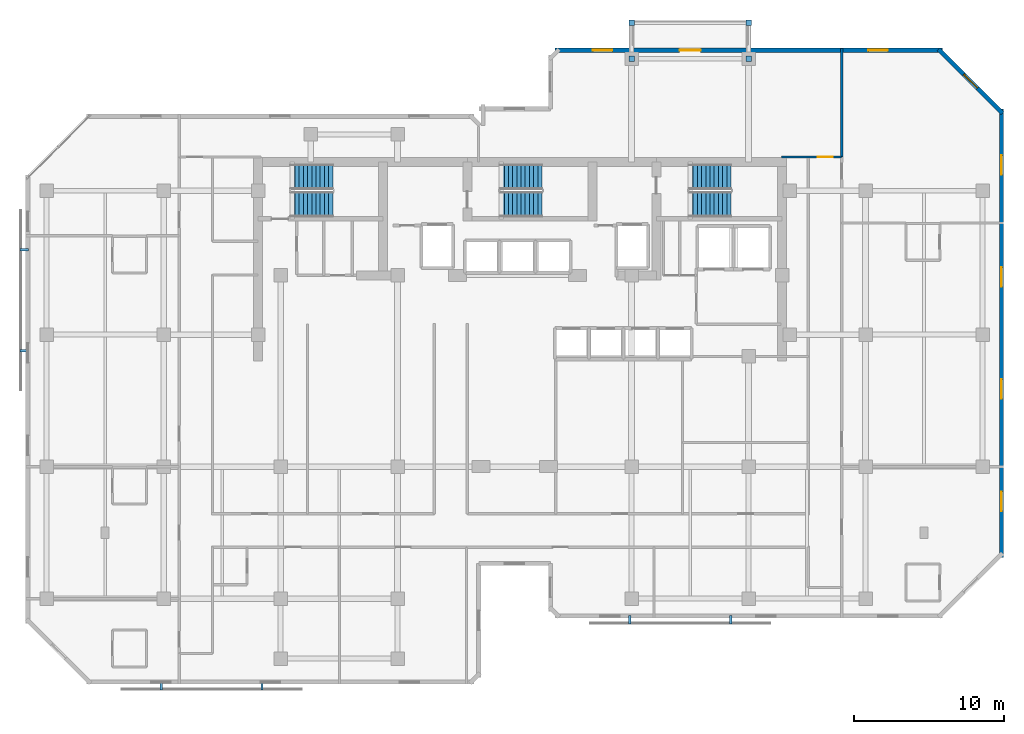
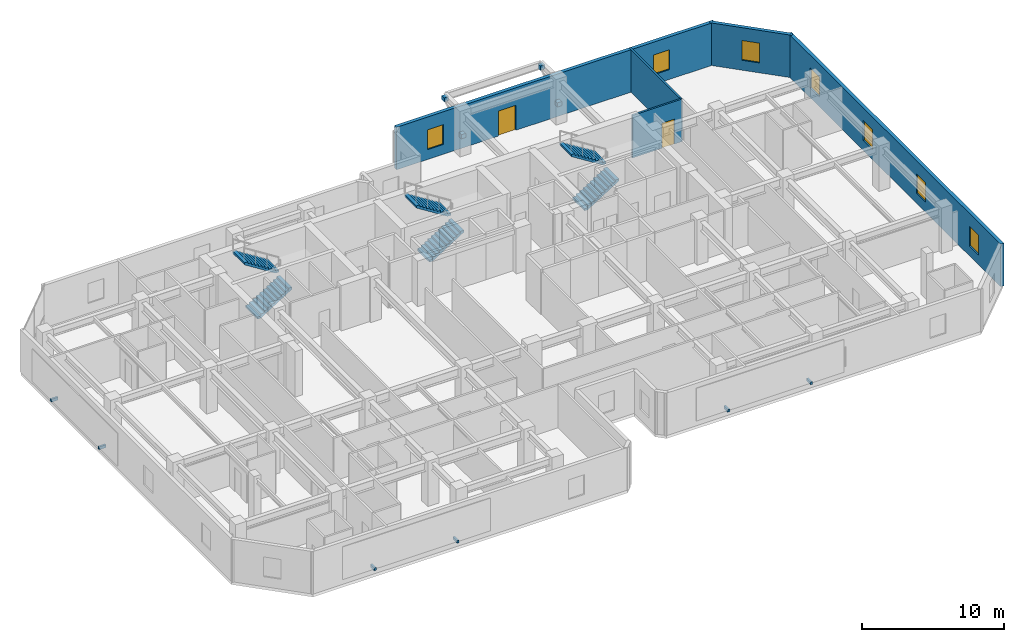
# One storey, part 8 of 10: 10 discrete accessories, 7 windows, 6 stair flights, 5 walls, 2 doors, 9 openings, 3 elements without a shape of their own.
"""IFC4 building model written with IfcOpenShell, lengths in metres."""

from ifc_helpers import new_model, si_unit, direction, frame, frame_2d, origin, origin_2d, place, context, subcontext, project, spatial, polyline, rectangle, outline, extrude, material, layer, layer_set, type_object, element, fill, aggregate, save


model = new_model("IFC4")

# Units and contexts
model_context = context("Model", 3, precision=1e-05, world=origin(), true_north=direction((0.0, 1.0)))
body_context = subcontext(model_context, "Body", "Model", "MODEL_VIEW")
ifc_project = project(units=[si_unit("LENGTHUNIT", "METRE"), si_unit("AREAUNIT", "SQUARE_METRE"), si_unit("VOLUMEUNIT", "CUBIC_METRE"), si_unit("PLANEANGLEUNIT", "RADIAN"), si_unit("MASSUNIT", "GRAM", prefix="KILO")], contexts=[model_context])

# Site, building, storey
site_placement = place(None, origin())
site = spatial("IfcSite", under=ifc_project, at=site_placement, CompositionType="ELEMENT")
building_placement = place(site_placement, origin())
building = spatial("IfcBuilding", under=site, at=building_placement, Name="Kestravale Grand Hotel", CompositionType="ELEMENT")
storey_placement = place(building_placement, frame((0.0, 0.0, 220.199951171875)))
storey = spatial("IfcBuildingStorey", under=building, at=storey_placement, Name="L55", CompositionType="ELEMENT", Elevation=220.199951171875)

# Wall, openings, windows
ifc_material_1 = material(Name="Precast concrete f'c 45 MPa", Category="concrete")
ifc_layer_1 = layer(ifc_material_1, 0.280029296875)
ifc_layer_set_1 = layer_set([ifc_layer_1], Name="EW-PREC-280")
wall_type_1 = type_object("IfcWallType", Name="EW-PREC-280", PredefinedType="SOLIDWALL", material=ifc_layer_set_1)
wall_1_placement = place(storey_placement, frame((71.4599609375, 13.9599609375, 0.0), z_axis=(0.0, 0.0, 1.0), x_axis=(0.0, 1.0, 0.0)))
wall_1 = element("IfcWall", 1, at=wall_1_placement, inside=storey, type_object=wall_type_1, Name="L55 fluted precast facade wall 9", PredefinedType="SOLIDWALL", context=body_context, shape_type="SweptSolid", body=[
    extrude(rectangle(XDim=29.880126953125, YDim=0.280029296875, at=frame_2d((14.93994140625, 0.0))), origin(), (0.0, 0.0, 1.0), 3.650146484375),
])
opening_1_placement = place(wall_1_placement, frame((3.0849609375, 0.0, 0.85009765625)))
opening_1 = element("IfcOpeningElement", 2, at=opening_1_placement, cuts=wall_1, Name="Opening W-GUEST-1300", PredefinedType="OPENING", context=body_context, shape_type="SweptSolid", body=[
    extrude(rectangle(XDim=1.300048828125, YDim=1.699951171875, at=frame_2d((0.64990234375, 0.85009765625))), frame((0.0, 0.14990234375, 0.0), z_axis=(0.0, -1.0, 0.0), x_axis=(1.0, 0.0, 0.0)), (0.0, 0.0, 1.0), 0.300048828125),
])
opening_2_placement = place(wall_1_placement, frame((10.554931640625, 0.0, 0.85009765625)))
opening_2 = element("IfcOpeningElement", 3, at=opening_2_placement, cuts=wall_1, Name="Opening W-GUEST-1300", PredefinedType="OPENING", context=body_context, shape_type="SweptSolid", body=[
    extrude(rectangle(XDim=1.300048828125, YDim=1.699951171875, at=frame_2d((0.64990234375, 0.85009765625))), frame((0.0, 0.14990234375, 0.0), z_axis=(0.0, -1.0, 0.0), x_axis=(1.0, 0.0, 0.0)), (0.0, 0.0, 1.0), 0.300048828125),
])
opening_3_placement = place(wall_1_placement, frame((18.02490234375, 0.0, 0.85009765625)))
opening_3 = element("IfcOpeningElement", 4, at=opening_3_placement, cuts=wall_1, Name="Opening W-GUEST-1300", PredefinedType="OPENING", context=body_context, shape_type="SweptSolid", body=[
    extrude(rectangle(XDim=1.300048828125, YDim=1.699951171875, at=frame_2d((0.64990234375, 0.85009765625))), frame((0.0, 0.14990234375, 0.0), z_axis=(0.0, -1.0, 0.0), x_axis=(1.0, 0.0, 0.0)), (0.0, 0.0, 1.0), 0.300048828125),
])
opening_4_placement = place(wall_1_placement, frame((25.4951171875, 0.0, 0.85009765625)))
opening_4 = element("IfcOpeningElement", 5, at=opening_4_placement, cuts=wall_1, Name="Opening W-GUEST-1300", PredefinedType="OPENING", context=body_context, shape_type="SweptSolid", body=[
    extrude(rectangle(XDim=1.300048828125, YDim=1.699951171875, at=frame_2d((0.64990234375, 0.85009765625))), frame((0.0, 0.14990234375, 0.0), z_axis=(0.0, -1.0, 0.0), x_axis=(1.0, 0.0, 0.0)), (0.0, 0.0, 1.0), 0.300048828125),
])
ifc_material_2 = material(Name="Insulated low-E double glazing in aluminium frame", Category="aluminium")
window_type = type_object("IfcWindowType", Name="W-GUEST-1300", PartitioningType="SINGLE_PANEL", PredefinedType="WINDOW", material=ifc_material_2)
window_1_placement = place(opening_1_placement, origin())
window_1 = element("IfcWindow", 6, at=window_1_placement, inside=storey, type_object=window_type, Name="L55 exterior window 9.1", OverallHeight=1.699951171875, OverallWidth=1.300048828125, PartitioningType="SINGLE_PANEL", PredefinedType="WINDOW", context=body_context, shape_type="SweptSolid", body=[
    extrude(rectangle(XDim=1.300048828125, YDim=1.699951171875, at=frame_2d((0.64990234375, 0.85009765625))), frame((0.0, 0.030029296875, 0.0), z_axis=(0.0, -1.0, 0.0), x_axis=(1.0, 0.0, 0.0)), (0.0, 0.0, 1.0), 0.06005859375),
])
fill(opening_1, window_1)
window_2_placement = place(opening_2_placement, origin())
window_2 = element("IfcWindow", 7, at=window_2_placement, inside=storey, type_object=window_type, Name="L55 exterior window 9.2", OverallHeight=1.699951171875, OverallWidth=1.300048828125, PartitioningType="SINGLE_PANEL", PredefinedType="WINDOW", context=body_context, shape_type="SweptSolid", body=[
    extrude(rectangle(XDim=1.300048828125, YDim=1.699951171875, at=frame_2d((0.64990234375, 0.85009765625))), frame((0.0, 0.030029296875, 0.0), z_axis=(0.0, -1.0, 0.0), x_axis=(1.0, 0.0, 0.0)), (0.0, 0.0, 1.0), 0.06005859375),
])
fill(opening_2, window_2)
window_3_placement = place(opening_3_placement, origin())
window_3 = element("IfcWindow", 8, at=window_3_placement, inside=storey, type_object=window_type, Name="L55 exterior window 9.3", OverallHeight=1.699951171875, OverallWidth=1.300048828125, PartitioningType="SINGLE_PANEL", PredefinedType="WINDOW", context=body_context, shape_type="SweptSolid", body=[
    extrude(rectangle(XDim=1.300048828125, YDim=1.699951171875, at=frame_2d((0.64990234375, 0.85009765625))), frame((0.0, 0.030029296875, 0.0), z_axis=(0.0, -1.0, 0.0), x_axis=(1.0, 0.0, 0.0)), (0.0, 0.0, 1.0), 0.06005859375),
])
fill(opening_3, window_3)
window_4_placement = place(opening_4_placement, origin())
window_4 = element("IfcWindow", 9, at=window_4_placement, inside=storey, type_object=window_type, Name="L55 exterior window 9.4", OverallHeight=1.699951171875, OverallWidth=1.300048828125, PartitioningType="SINGLE_PANEL", PredefinedType="WINDOW", context=body_context, shape_type="SweptSolid", body=[
    extrude(rectangle(XDim=1.300048828125, YDim=1.699951171875, at=frame_2d((0.64990234375, 0.85009765625))), frame((0.0, 0.030029296875, 0.0), z_axis=(0.0, -1.0, 0.0), x_axis=(1.0, 0.0, 0.0)), (0.0, 0.0, 1.0), 0.06005859375),
])
fill(opening_4, window_4)

# Wall, opening, window
wall_2_placement = place(storey_placement, frame((71.529296875, 43.57275390625, 0.0), z_axis=(0.0, 0.0, 1.0), x_axis=(-0.707106781187, 0.707106781187, 0.0)))
wall_2 = element("IfcWall", 10, at=wall_2_placement, inside=storey, type_object=wall_type_1, Name="L55 fluted precast facade wall 10", PredefinedType="SOLIDWALL", context=body_context, shape_type="SweptSolid", body=[
    extrude(rectangle(XDim=6.019775390625, YDim=0.280029296875, at=frame_2d((3.009765625, 0.0))), origin(), (0.0, 0.0, 1.0), 3.650146484375),
])
opening_5_placement = place(wall_2_placement, frame((2.35986328125, 0.0, 0.85009765625)))
opening_5 = element("IfcOpeningElement", 11, at=opening_5_placement, cuts=wall_2, Name="Opening W-GUEST-1300", PredefinedType="OPENING", context=body_context, shape_type="SweptSolid", body=[
    extrude(rectangle(XDim=1.300048828125, YDim=1.699951171875, at=frame_2d((0.64990234375, 0.85009765625))), frame((0.0, 0.14990234375, 0.0), z_axis=(0.0, -1.0, 0.0), x_axis=(1.0, 0.0, 0.0)), (0.0, 0.0, 1.0), 0.300048828125),
])
window_5_placement = place(opening_5_placement, origin())
window_5 = element("IfcWindow", 12, at=window_5_placement, inside=storey, type_object=window_type, Name="L55 exterior window 10.1", OverallHeight=1.699951171875, OverallWidth=1.300048828125, PartitioningType="SINGLE_PANEL", PredefinedType="WINDOW", context=body_context, shape_type="SweptSolid", body=[
    extrude(rectangle(XDim=1.300048828125, YDim=1.699951171875, at=frame_2d((0.64990234375, 0.85009765625))), frame((0.0, 0.030029296875, 0.0), z_axis=(0.0, -1.0, 0.0), x_axis=(1.0, 0.0, 0.0)), (0.0, 0.0, 1.0), 0.06005859375),
])
fill(opening_5, window_5)

# Wall, openings, door, windows
wall_3_placement = place(storey_placement, frame((67.5400390625, 47.760009765625, 0.0), z_axis=(0.0, 0.0, 1.0), x_axis=(-1.0, 0.0, 0.0)))
wall_3 = element("IfcWall", 13, at=wall_3_placement, inside=storey, type_object=wall_type_1, Name="L55 fluted precast facade wall 11", PredefinedType="SOLIDWALL", context=body_context, shape_type="SweptSolid", body=[
    extrude(rectangle(XDim=25.830078125, YDim=0.280029296875, at=frame_2d((12.9150390625, 0.0))), origin(), (0.0, 0.0, 1.0), 3.650146484375),
])
opening_6_placement = place(wall_3_placement, frame((16.139892578125, 0.0, 0.0)))
opening_6 = element("IfcOpeningElement", 14, at=opening_6_placement, cuts=wall_3, Name="Opening D-TERR-1400", PredefinedType="OPENING", context=body_context, shape_type="SweptSolid", body=[
    extrude(rectangle(XDim=1.39990234375, YDim=2.14990234375, at=frame_2d((0.699951171875, 1.074951171875))), frame((0.0, 0.14990234375, 0.0), z_axis=(0.0, -1.0, 0.0), x_axis=(1.0, 0.0, 0.0)), (0.0, 0.0, 1.0), 0.300048828125),
])
opening_7_placement = place(wall_3_placement, frame((3.655029296875, 0.0, 0.85009765625)))
opening_7 = element("IfcOpeningElement", 15, at=opening_7_placement, cuts=wall_3, Name="Opening W-GUEST-1300", PredefinedType="OPENING", context=body_context, shape_type="SweptSolid", body=[
    extrude(rectangle(XDim=1.300048828125, YDim=1.699951171875, at=frame_2d((0.64990234375, 0.85009765625))), frame((0.0, 0.14990234375, 0.0), z_axis=(0.0, -1.0, 0.0), x_axis=(1.0, 0.0, 0.0)), (0.0, 0.0, 1.0), 0.300048828125),
])
opening_8_placement = place(wall_3_placement, frame((22.02490234375, 0.0, 0.85009765625)))
opening_8 = element("IfcOpeningElement", 16, at=opening_8_placement, cuts=wall_3, Name="Opening W-GUEST-1300", PredefinedType="OPENING", context=body_context, shape_type="SweptSolid", body=[
    extrude(rectangle(XDim=1.300048828125, YDim=1.699951171875, at=frame_2d((0.64990234375, 0.85009765625))), frame((0.0, 0.14990234375, 0.0), z_axis=(0.0, -1.0, 0.0), x_axis=(1.0, 0.0, 0.0)), (0.0, 0.0, 1.0), 0.300048828125),
])
ifc_material_3 = material(Name="Insulated glazed champagne-bronze aluminium door", Category="aluminium")
door_type_1 = type_object("IfcDoorType", Name="D-TERR-1400", OperationType="NOTDEFINED", PredefinedType="DOOR", material=ifc_material_3)
door_1_placement = place(opening_6_placement, origin())
door_1 = element("IfcDoor", 17, at=door_1_placement, inside=storey, type_object=door_type_1, Name="L55 outdoor garden terrace door", OperationType="DOUBLE_DOOR_SINGLE_SWING", OverallHeight=2.14990234375, OverallWidth=1.39990234375, PredefinedType="DOOR", context=body_context, shape_type="SweptSolid", body=[
    extrude(rectangle(XDim=1.39990234375, YDim=2.14990234375, at=frame_2d((0.699951171875, 1.074951171875))), frame((0.0, 0.02490234375, 0.0), z_axis=(0.0, -1.0, 0.0), x_axis=(1.0, 0.0, 0.0)), (0.0, 0.0, 1.0), 0.050048828125),
])
fill(opening_6, door_1)
window_6_placement = place(opening_7_placement, origin())
window_6 = element("IfcWindow", 18, at=window_6_placement, inside=storey, type_object=window_type, Name="L55 exterior window 11.1", OverallHeight=1.699951171875, OverallWidth=1.300048828125, PartitioningType="SINGLE_PANEL", PredefinedType="WINDOW", context=body_context, shape_type="SweptSolid", body=[
    extrude(rectangle(XDim=1.300048828125, YDim=1.699951171875, at=frame_2d((0.64990234375, 0.85009765625))), frame((0.0, 0.030029296875, 0.0), z_axis=(0.0, -1.0, 0.0), x_axis=(1.0, 0.0, 0.0)), (0.0, 0.0, 1.0), 0.06005859375),
])
fill(opening_7, window_6)
window_7_placement = place(opening_8_placement, origin())
window_7 = element("IfcWindow", 19, at=window_7_placement, inside=storey, type_object=window_type, Name="L55 exterior window 11.2", OverallHeight=1.699951171875, OverallWidth=1.300048828125, PartitioningType="SINGLE_PANEL", PredefinedType="WINDOW", context=body_context, shape_type="SweptSolid", body=[
    extrude(rectangle(XDim=1.300048828125, YDim=1.699951171875, at=frame_2d((0.64990234375, 0.85009765625))), frame((0.0, 0.030029296875, 0.0), z_axis=(0.0, -1.0, 0.0), x_axis=(1.0, 0.0, 0.0)), (0.0, 0.0, 1.0), 0.06005859375),
])
fill(opening_8, window_7)

# Wall, opening, door
ifc_material_4 = material(Name="Double-stud STC 52 acoustic demising partition", Category="other")
ifc_layer_2 = layer(ifc_material_4, 0.14990234375)
ifc_layer_set_2 = layer_set([ifc_layer_2], Name="IW-UNIT-150")
wall_type_2 = type_object("IfcWallType", Name="IW-UNIT-150", PredefinedType="PARTITIONING", material=ifc_layer_set_2)
wall_4_placement = place(storey_placement, frame((56.800048828125, 40.64990234375, 0.0), z_axis=(0.0, 0.0, 1.0), x_axis=(1.0, 0.0, 0.0)))
wall_4 = element("IfcWall", 20, at=wall_4_placement, inside=storey, type_object=wall_type_2, Name="W-L55-SE-N", PredefinedType="PARTITIONING", context=body_context, shape_type="SweptSolid", body=[
    extrude(rectangle(XDim=4.010009765625, YDim=0.14990234375, at=frame_2d((2.0048828125, 0.0))), origin(), (0.0, 0.0, 1.0), 3.650146484375),
])
opening_9_placement = place(wall_4_placement, frame((2.39990234375, 0.0, 0.0)))
opening_9 = element("IfcOpeningElement", 21, at=opening_9_placement, cuts=wall_4, Name="Opening D-GUEST-1000", PredefinedType="OPENING", context=body_context, shape_type="SweptSolid", body=[
    extrude(rectangle(XDim=1.0, YDim=2.14990234375, at=frame_2d((0.5, 1.074951171875))), frame((0.0, 0.0849609375, 0.0), z_axis=(0.0, -1.0, 0.0), x_axis=(1.0, 0.0, 0.0)), (0.0, 0.0, 1.0), 0.169921875),
])
ifc_material_5 = material(Name="Accessible walnut veneer hotel entrance fire door", Category="wood")
door_type_2 = type_object("IfcDoorType", Name="D-GUEST-1000", OperationType="NOTDEFINED", PredefinedType="DOOR", material=ifc_material_5)
door_2_placement = place(opening_9_placement, origin())
door_2 = element("IfcDoor", 22, at=door_2_placement, inside=storey, type_object=door_type_2, Name="L55 NE Gallery Door", OperationType="SINGLE_SWING_LEFT", OverallHeight=2.14990234375, OverallWidth=1.0, PredefinedType="DOOR", context=body_context, shape_type="SweptSolid", body=[
    extrude(rectangle(XDim=1.0, YDim=2.14990234375, at=frame_2d((0.5, 1.074951171875))), frame((0.0, 0.02490234375, 0.0), z_axis=(0.0, -1.0, 0.0), x_axis=(1.0, 0.0, 0.0)), (0.0, 0.0, 1.0), 0.050048828125),
])
fill(opening_9, door_2)

# Wall
wall_5_placement = place(storey_placement, frame((60.81005859375, 40.64990234375, 0.0), z_axis=(0.0, 0.0, 1.0), x_axis=(0.0, 1.0, 0.0)))
element("IfcWall", 23, at=wall_5_placement, inside=storey, type_object=wall_type_2, Name="W-L55-NGE-E", PredefinedType="PARTITIONING", context=body_context, shape_type="SweptSolid", body=[
    extrude(rectangle(XDim=7.22998046875, YDim=0.14990234375, at=frame_2d((3.614990234375, 0.0))), origin(), (0.0, 0.0, 1.0), 3.650146484375),
])

# Stair, stair flights
ifc_material_6 = material(Name="Concrete f'c 45 MPa", Category="concrete")
stair_type = type_object("IfcStairType", Name="ST-CORE-390", PredefinedType="HALF_TURN_STAIR", material=ifc_material_6)
stair_1_placement = place(storey_placement, origin())
stair_1 = element("IfcStair", 24, at=stair_1_placement, inside=storey, type_object=stair_type, Name="L55 ST-1", PredefinedType="HALF_TURN_STAIR")
ifc_material_7 = material(Name="Concrete f'c 45 MPa", Category="concrete")
stair_flight_type = type_object("IfcStairFlightType", Name="STF-CORE-390", PredefinedType="STRAIGHT", material=ifc_material_7)
stair_flight_1_placement = place(storey_placement, frame((24.080078125, 37.489990234375, 0.0), z_axis=(0.0, 0.0, 1.0), x_axis=(1.0, 0.0, 0.0)))
stair_flight_1 = element("IfcStairFlight", 25, at=stair_flight_1_placement, type_object=stair_flight_type, Name="ST-1 flight 1", NumberOfRisers=11, NumberOfTreads=10, PredefinedType="STRAIGHT", RiserHeight=0.177272727, TreadLength=0.28, context=body_context, shape_type="SweptSolid", body=[
    extrude(outline(polyline([(0.0, 0.0), (0.0, 0.17724609375), (0.280029296875, 0.17724609375), (0.280029296875, 0.3544921875), (0.56005859375, 0.3544921875), (0.56005859375, 0.53173828125), (0.840087890625, 0.53173828125), (0.840087890625, 0.708984375), (1.1201171875, 0.708984375), (1.1201171875, 0.886474609375), (1.39990234375, 0.886474609375), (1.39990234375, 1.063720703125), (1.679931640625, 1.063720703125), (1.679931640625, 1.240966796875), (1.9599609375, 1.240966796875), (1.9599609375, 1.418212890625), (2.239990234375, 1.418212890625), (2.239990234375, 1.595458984375), (2.52001953125, 1.595458984375), (2.52001953125, 1.772705078125), (2.800048828125, 1.772705078125), (2.800048828125, 1.949951171875), (2.800048828125, 1.59521484375), (0.2802734375, 0.0), (0.0, 0.0)])), frame((0.0, 0.83984375, 0.0), z_axis=(0.0, -1.0, 0.0), x_axis=(1.0, 0.0, 0.0)), (0.0, 0.0, 1.0), 1.679931640625),
])
stair_flight_2_placement = place(storey_placement, frame((26.8798828125, 39.320068359375, 1.949951171875), z_axis=(0.0, 0.0, 1.0), x_axis=(-1.0, 0.0, 0.0)))
stair_flight_2 = element("IfcStairFlight", 26, at=stair_flight_2_placement, type_object=stair_flight_type, Name="ST-1 flight 2", NumberOfRisers=11, NumberOfTreads=10, PredefinedType="STRAIGHT", RiserHeight=0.177272727, TreadLength=0.28, context=body_context, shape_type="SweptSolid", body=[
    extrude(outline(polyline([(0.0, 0.0), (0.0, 0.17724609375), (0.280029296875, 0.17724609375), (0.280029296875, 0.3544921875), (0.56005859375, 0.3544921875), (0.56005859375, 0.53173828125), (0.840087890625, 0.53173828125), (0.840087890625, 0.708984375), (1.1201171875, 0.708984375), (1.1201171875, 0.886474609375), (1.39990234375, 0.886474609375), (1.39990234375, 1.063720703125), (1.679931640625, 1.063720703125), (1.679931640625, 1.240966796875), (1.9599609375, 1.240966796875), (1.9599609375, 1.418212890625), (2.239990234375, 1.418212890625), (2.239990234375, 1.595458984375), (2.52001953125, 1.595458984375), (2.52001953125, 1.772705078125), (2.800048828125, 1.772705078125), (2.800048828125, 1.949951171875), (2.800048828125, 1.59521484375), (0.2802734375, 0.0), (0.0, 0.0)])), frame((0.0, 0.83984375, 0.0), z_axis=(0.0, -1.0, 0.0), x_axis=(1.0, 0.0, 0.0)), (0.0, 0.0, 1.0), 1.679931640625),
])
aggregate(stair_1, [stair_flight_1, stair_flight_2])

stair_2_placement = place(storey_placement, origin())
stair_2 = element("IfcStair", 27, at=stair_2_placement, inside=storey, type_object=stair_type, Name="L55 ST-2", PredefinedType="HALF_TURN_STAIR")
stair_flight_3_placement = place(storey_placement, frame((38.030029296875, 37.489990234375, 0.0), z_axis=(0.0, 0.0, 1.0), x_axis=(1.0, 0.0, 0.0)))
stair_flight_3 = element("IfcStairFlight", 28, at=stair_flight_3_placement, type_object=stair_flight_type, Name="ST-2 flight 1", NumberOfRisers=11, NumberOfTreads=10, PredefinedType="STRAIGHT", RiserHeight=0.177272727, TreadLength=0.28, context=body_context, shape_type="SweptSolid", body=[
    extrude(outline(polyline([(0.0, 0.0), (0.0, 0.17724609375), (0.280029296875, 0.17724609375), (0.280029296875, 0.3544921875), (0.56005859375, 0.3544921875), (0.56005859375, 0.53173828125), (0.840087890625, 0.53173828125), (0.840087890625, 0.708984375), (1.1201171875, 0.708984375), (1.1201171875, 0.886474609375), (1.39990234375, 0.886474609375), (1.39990234375, 1.063720703125), (1.679931640625, 1.063720703125), (1.679931640625, 1.240966796875), (1.9599609375, 1.240966796875), (1.9599609375, 1.418212890625), (2.239990234375, 1.418212890625), (2.239990234375, 1.595458984375), (2.52001953125, 1.595458984375), (2.52001953125, 1.772705078125), (2.800048828125, 1.772705078125), (2.800048828125, 1.949951171875), (2.800048828125, 1.59521484375), (0.2802734375, 0.0), (0.0, 0.0)])), frame((0.0, 0.83984375, 0.0), z_axis=(0.0, -1.0, 0.0), x_axis=(1.0, 0.0, 0.0)), (0.0, 0.0, 1.0), 1.679931640625),
])
stair_flight_4_placement = place(storey_placement, frame((40.830078125, 39.320068359375, 1.949951171875), z_axis=(0.0, 0.0, 1.0), x_axis=(-1.0, 0.0, 0.0)))
stair_flight_4 = element("IfcStairFlight", 29, at=stair_flight_4_placement, type_object=stair_flight_type, Name="ST-2 flight 2", NumberOfRisers=11, NumberOfTreads=10, PredefinedType="STRAIGHT", RiserHeight=0.177272727, TreadLength=0.28, context=body_context, shape_type="SweptSolid", body=[
    extrude(outline(polyline([(0.0, 0.0), (0.0, 0.17724609375), (0.280029296875, 0.17724609375), (0.280029296875, 0.3544921875), (0.56005859375, 0.3544921875), (0.56005859375, 0.53173828125), (0.840087890625, 0.53173828125), (0.840087890625, 0.708984375), (1.1201171875, 0.708984375), (1.1201171875, 0.886474609375), (1.39990234375, 0.886474609375), (1.39990234375, 1.063720703125), (1.679931640625, 1.063720703125), (1.679931640625, 1.240966796875), (1.9599609375, 1.240966796875), (1.9599609375, 1.418212890625), (2.239990234375, 1.418212890625), (2.239990234375, 1.595458984375), (2.52001953125, 1.595458984375), (2.52001953125, 1.772705078125), (2.800048828125, 1.772705078125), (2.800048828125, 1.949951171875), (2.800048828125, 1.59521484375), (0.2802734375, 0.0), (0.0, 0.0)])), frame((0.0, 0.83984375, 0.0), z_axis=(0.0, -1.0, 0.0), x_axis=(1.0, 0.0, 0.0)), (0.0, 0.0, 1.0), 1.679931640625),
])
aggregate(stair_2, [stair_flight_3, stair_flight_4])

stair_3_placement = place(storey_placement, origin())
stair_3 = element("IfcStair", 30, at=stair_3_placement, inside=storey, type_object=stair_type, Name="L55 ST-3", PredefinedType="HALF_TURN_STAIR")
stair_flight_5_placement = place(storey_placement, frame((50.6298828125, 37.489990234375, 0.0), z_axis=(0.0, 0.0, 1.0), x_axis=(1.0, 0.0, 0.0)))
stair_flight_5 = element("IfcStairFlight", 31, at=stair_flight_5_placement, type_object=stair_flight_type, Name="ST-3 flight 1", NumberOfRisers=11, NumberOfTreads=10, PredefinedType="STRAIGHT", RiserHeight=0.177272727, TreadLength=0.28, context=body_context, shape_type="SweptSolid", body=[
    extrude(outline(polyline([(0.0, 0.0), (0.0, 0.17724609375), (0.280029296875, 0.17724609375), (0.280029296875, 0.3544921875), (0.56005859375, 0.3544921875), (0.56005859375, 0.53173828125), (0.840087890625, 0.53173828125), (0.840087890625, 0.708984375), (1.1201171875, 0.708984375), (1.1201171875, 0.886474609375), (1.39990234375, 0.886474609375), (1.39990234375, 1.063720703125), (1.679931640625, 1.063720703125), (1.679931640625, 1.240966796875), (1.9599609375, 1.240966796875), (1.9599609375, 1.418212890625), (2.239990234375, 1.418212890625), (2.239990234375, 1.595458984375), (2.52001953125, 1.595458984375), (2.52001953125, 1.772705078125), (2.800048828125, 1.772705078125), (2.800048828125, 1.949951171875), (2.800048828125, 1.59521484375), (0.2802734375, 0.0), (0.0, 0.0)])), frame((0.0, 0.83984375, 0.0), z_axis=(0.0, -1.0, 0.0), x_axis=(1.0, 0.0, 0.0)), (0.0, 0.0, 1.0), 1.679931640625),
])
stair_flight_6_placement = place(storey_placement, frame((53.429931640625, 39.320068359375, 1.949951171875), z_axis=(0.0, 0.0, 1.0), x_axis=(-1.0, 0.0, 0.0)))
stair_flight_6 = element("IfcStairFlight", 32, at=stair_flight_6_placement, type_object=stair_flight_type, Name="ST-3 flight 2", NumberOfRisers=11, NumberOfTreads=10, PredefinedType="STRAIGHT", RiserHeight=0.177272727, TreadLength=0.28, context=body_context, shape_type="SweptSolid", body=[
    extrude(outline(polyline([(0.0, 0.0), (0.0, 0.17724609375), (0.280029296875, 0.17724609375), (0.280029296875, 0.3544921875), (0.56005859375, 0.3544921875), (0.56005859375, 0.53173828125), (0.840087890625, 0.53173828125), (0.840087890625, 0.708984375), (1.1201171875, 0.708984375), (1.1201171875, 0.886474609375), (1.39990234375, 0.886474609375), (1.39990234375, 1.063720703125), (1.679931640625, 1.063720703125), (1.679931640625, 1.240966796875), (1.9599609375, 1.240966796875), (1.9599609375, 1.418212890625), (2.239990234375, 1.418212890625), (2.239990234375, 1.595458984375), (2.52001953125, 1.595458984375), (2.52001953125, 1.772705078125), (2.800048828125, 1.772705078125), (2.800048828125, 1.949951171875), (2.800048828125, 1.59521484375), (0.2802734375, 0.0), (0.0, 0.0)])), frame((0.0, 0.83984375, 0.0), z_axis=(0.0, -1.0, 0.0), x_axis=(1.0, 0.0, 0.0)), (0.0, 0.0, 1.0), 1.679931640625),
])
aggregate(stair_3, [stair_flight_5, stair_flight_6])

# Discrete accessories
ifc_material_8 = material(Name="Steel ASTM A572 Grade 50 hot-dip galvanised bracket", Category="steel")
discrete_accessory_type = type_object("IfcDiscreteAccessoryType", Name="ACC-BRK-STL", PredefinedType="BRACKET", material=ifc_material_8)
for number, where, z_axis, x_axis, name in (
    (33, (46.800048828125, 47.199951171875, 1.2939453125), (0.0, 0.0, 1.0), (1.0, 0.0, 0.0), "L56 terrace strut column bracket 1"),
    (34, (46.800048828125, 49.60009765625, 2.994140625), (0.0, 0.0, 1.0), (1.0, 0.0, 0.0), "L56 terrace strut beam bracket 1"),
    (35, (54.60009765625, 47.199951171875, 1.2939453125), (0.0, 0.0, 1.0), (1.0, 0.0, 0.0), "L56 terrace strut column bracket 2"),
    (36, (54.60009765625, 49.60009765625, 2.994140625), (0.0, 0.0, 1.0), (1.0, 0.0, 0.0), "L56 terrace strut beam bracket 2"),
):
    element("IfcDiscreteAccessory", number, at=place(storey_placement, frame(where, z_axis=z_axis, x_axis=x_axis)), inside=storey, type_object=discrete_accessory_type, Name=name, PredefinedType="BRACKET", context=body_context, shape_type="SweptSolid", body=[
        extrude(rectangle(XDim=0.360107421875, YDim=0.360107421875, at=origin_2d()), origin(), (0.0, 0.0, 1.0), 0.360107421875),
    ])
for number, where, z_axis, x_axis, name in (
    (37, (15.43994140625, 5.405029296875, 0.56005859375), (0.0, 0.0, 1.0), (1.0, 0.0, 0.0), "L55 solar screen standoff bracket 1"),
    (38, (22.159912109375, 5.405029296875, 0.56005859375), (0.0, 0.0, 1.0), (1.0, 0.0, 0.0), "L55 solar screen standoff bracket 2"),
    (39, (46.68994140625, 9.804931640625, 0.56005859375), (0.0, 0.0, 1.0), (1.0, 0.0, 0.0), "L55 solar screen standoff bracket 1"),
    (40, (53.409912109375, 9.804931640625, 0.56005859375), (0.0, 0.0, 1.0), (1.0, 0.0, 0.0), "L55 solar screen standoff bracket 2"),
    (41, (6.304931640625, 34.4599609375, 0.56005859375), (0.0, 0.0, 1.0), (0.0, -1.0, 0.0), "L55 solar screen standoff bracket 1"),
    (42, (6.304931640625, 27.739990234375, 0.56005859375), (0.0, 0.0, 1.0), (0.0, -1.0, 0.0), "L55 solar screen standoff bracket 2"),
):
    element("IfcDiscreteAccessory", number, at=place(storey_placement, frame(where, z_axis=z_axis, x_axis=x_axis)), inside=storey, type_object=discrete_accessory_type, Name=name, PredefinedType="BRACKET", context=body_context, shape_type="SweptSolid", body=[
        extrude(rectangle(XDim=0.159912109375, YDim=0.56005859375, at=origin_2d()), origin(), (0.0, 0.0, 1.0), 0.239990234375),
    ])

save(model, "model.ifc")
